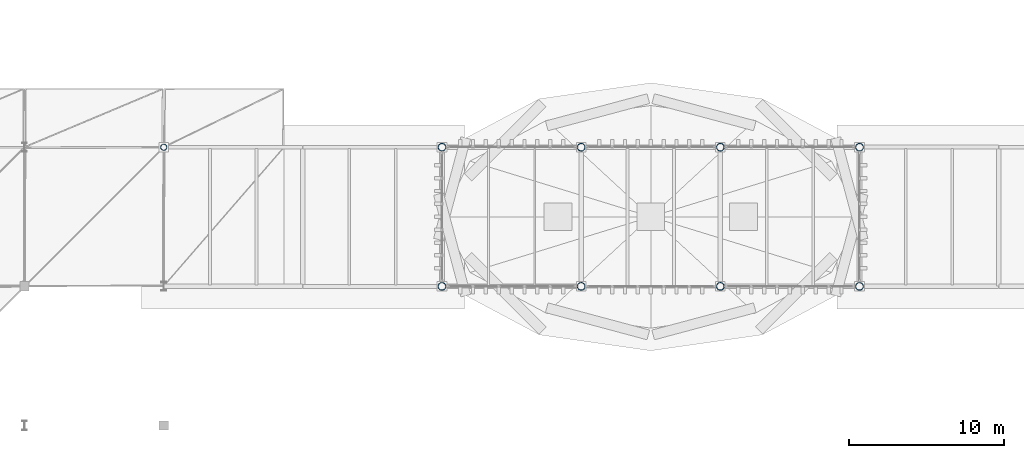
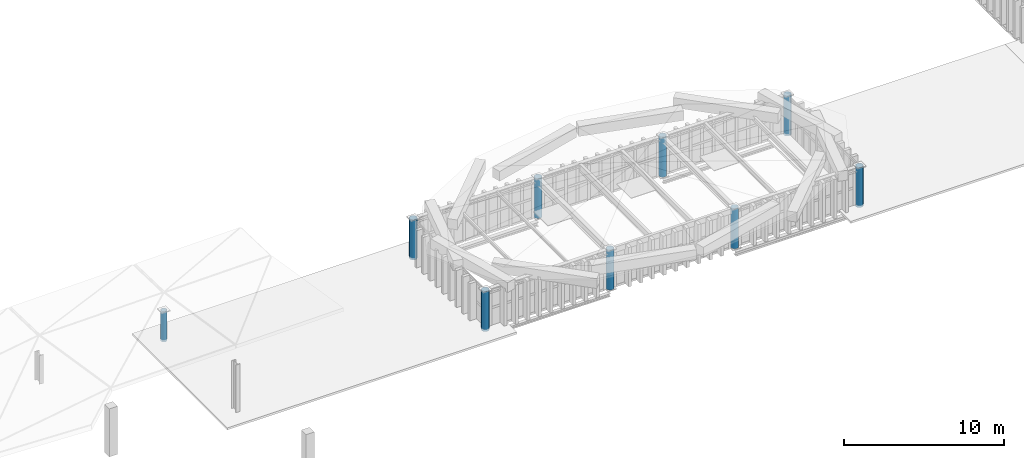
# One storey, part 5 of 102: 9 columns.
"""IFC4 building model written with IfcOpenShell, lengths in metres."""

from ifc_helpers import new_model, si_unit, direction, frame, origin, origin_2d, place, context, subcontext, project, spatial, hollow_circle, extrude, material, material_profile, profile_set, type_object, element, save


model = new_model("IFC4")

# Units and contexts
model_context = context("Model", 3, precision=1e-05, world=origin(), true_north=direction((0.0, 1.0)))
body_context = subcontext(model_context, "Body", "Model", "MODEL_VIEW")
ifc_project = project(units=[si_unit("LENGTHUNIT", "METRE"), si_unit("AREAUNIT", "SQUARE_METRE"), si_unit("VOLUMEUNIT", "CUBIC_METRE"), si_unit("PLANEANGLEUNIT", "RADIAN"), si_unit("MASSUNIT", "GRAM", prefix="KILO")], contexts=[model_context])

# Site, building, storey
site_placement = place(None, origin())
site = spatial("IfcSite", under=ifc_project, at=site_placement, CompositionType="ELEMENT")
building_placement = place(site_placement, origin())
building = spatial("IfcBuilding", under=site, at=building_placement, Name="Barlavento Convention Centre", CompositionType="ELEMENT")
storey_placement = place(building_placement, frame((0.0, 0.0, 22.800048828125)))
storey = spatial("IfcBuildingStorey", under=building, at=storey_placement, Name="L04", CompositionType="ELEMENT", Elevation=22.800048828125)

# Columns
ifc_material_1 = material(Name="Steel S355", Category="steel")
ifc_material_profile_1 = material_profile(ifc_material_1, hollow_circle(Radius=0.203125, WallThickness=0.01611328125, at=origin_2d()), Name="CHS 406.4x16.0")
ifc_profile_set_1 = profile_set([ifc_material_profile_1], Name="Steel S355")
column_type_1 = type_object("IfcColumnType", Name="STR-COL-CHS406", PredefinedType="COLUMN", material=ifc_profile_set_1)
column_placement = place(storey_placement, frame((63.0, 54.0, 0.0), z_axis=(0.0, 0.0, 1.0), x_axis=(1.0, 0.0, 0.0)))
element("IfcColumn", 1, at=column_placement, inside=storey, type_object=column_type_1, Name="L04 Congress hall column SC14", PredefinedType="COLUMN", context=body_context, shape_type="SweptSolid", body=[
    extrude(hollow_circle(Radius=0.203125, WallThickness=0.01611328125, at=origin_2d()), origin(), (0.0, 0.0, 1.0), 2.325927734375),
])
ifc_material_2 = material(Name="Steel S460", Category="steel")
ifc_material_profile_2 = material_profile(ifc_material_2, hollow_circle(Radius=0.25390625, WallThickness=0.02001953125, at=origin_2d()), Name="CHS 508.0x20.0")
ifc_profile_set_2 = profile_set([ifc_material_profile_2], Name="Steel S460")
column_type_2 = type_object("IfcColumnType", Name="STR-COL-CHS508", PredefinedType="COLUMN", material=ifc_profile_set_2)
for number, where, z_axis, x_axis, name in (
    (2, (81.0, 45.0, 0.0), (0.0, 0.0, 1.0), (1.0, 0.0, 0.0), "L04 Rotunda drum column SC13"),
    (3, (81.0, 54.0, 0.0), (0.0, 0.0, 1.0), (1.0, 0.0, 0.0), "L04 Rotunda drum column SC13"),
    (4, (90.0, 45.0, 0.0), (0.0, 0.0, 1.0), (1.0, 0.0, 0.0), "L04 Rotunda drum column SC13"),
    (5, (90.0, 54.0, 0.0), (0.0, 0.0, 1.0), (1.0, 0.0, 0.0), "L04 Rotunda drum column SC13"),
    (6, (99.0, 45.0, 0.0), (0.0, 0.0, 1.0), (1.0, 0.0, 0.0), "L04 Rotunda drum column SC13"),
    (7, (99.0, 54.0, 0.0), (0.0, 0.0, 1.0), (1.0, 0.0, 0.0), "L04 Rotunda drum column SC13"),
    (8, (108.0, 45.0, 0.0), (0.0, 0.0, 1.0), (1.0, 0.0, 0.0), "L04 Rotunda drum column SC13"),
    (9, (108.0, 54.0, 0.0), (0.0, 0.0, 1.0), (1.0, 0.0, 0.0), "L04 Rotunda drum column SC13"),
):
    element("IfcColumn", number, at=place(storey_placement, frame(where, z_axis=z_axis, x_axis=x_axis)), inside=storey, type_object=column_type_2, Name=name, PredefinedType="COLUMN", context=body_context, shape_type="SweptSolid", body=[
        extrude(hollow_circle(Radius=0.25390625, WallThickness=0.02001953125, at=origin_2d()), origin(), (0.0, 0.0, 1.0), 3.054931640625),
    ])

save(model, "model.ifc")
